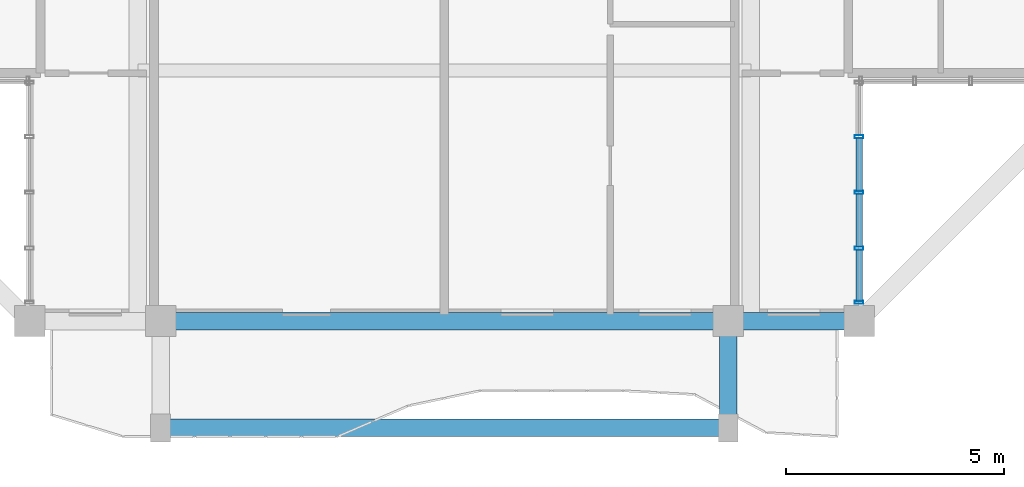
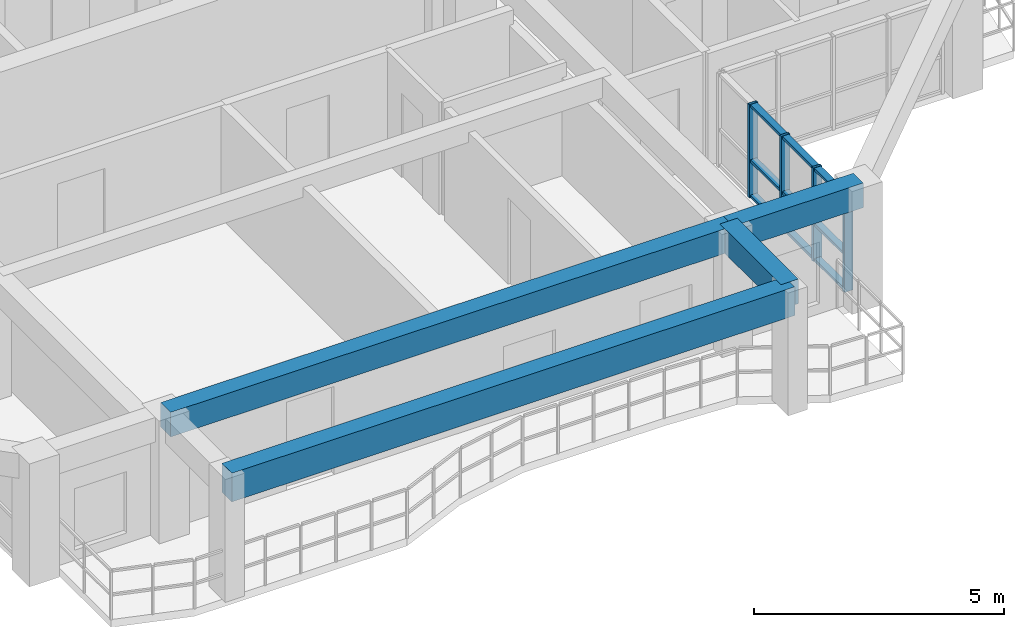
# One storey, part 3 of 24: 13 members, 4 beams, 1 element without a shape of its own.
"""IFC4 building model written with IfcOpenShell, lengths in metres."""

from ifc_helpers import new_model, si_unit, direction, frame, origin, origin_2d, place, context, subcontext, project, spatial, rectangle, hollow_rectangle, extrude, source, transform, mapped, material, layer, layer_set, material_profile, profile_set, type_object, element, aggregate, save


model = new_model("IFC4")

# Units and contexts
model_context = context("Model", 3, precision=1e-05, world=origin(), true_north=direction((0.0, 1.0)))
body_context = subcontext(model_context, "Body", "Model", "MODEL_VIEW")
ifc_project = project(units=[si_unit("LENGTHUNIT", "METRE"), si_unit("AREAUNIT", "SQUARE_METRE"), si_unit("VOLUMEUNIT", "CUBIC_METRE"), si_unit("PLANEANGLEUNIT", "RADIAN"), si_unit("MASSUNIT", "GRAM", prefix="KILO")], contexts=[model_context])

# Site, building, storey
site_placement = place(None, origin())
site = spatial("IfcSite", under=ifc_project, at=site_placement, CompositionType="ELEMENT")
building_placement = place(site_placement, origin())
building = spatial("IfcBuilding", under=site, at=building_placement, Name="Saelheon Loggia Tower", CompositionType="ELEMENT")
storey_placement = place(building_placement, frame((0.0, 0.0, 246.0)))
storey = spatial("IfcBuildingStorey", under=building, at=storey_placement, Name="L76", CompositionType="ELEMENT", Elevation=246.0)

# Beams
ifc_material_1 = material(Name="Precast Concrete C45/55", Category="concrete")
ifc_material_profile_1 = material_profile(ifc_material_1, rectangle(XDim=0.39990234375, YDim=0.60009765625, at=origin_2d()), Name="RC-400x600")
ifc_profile_set_1 = profile_set([ifc_material_profile_1], Name="Precast Concrete C45/55")
beam_type_1 = type_object("IfcBeamType", Name="Beam_LoggiaTie_RC400x600", PredefinedType="BEAM", material=ifc_profile_set_1)
shared_shape_1 = source(origin(), body_context, "Body", "SweptSolid", [
    extrude(rectangle(XDim=0.39990234375, YDim=0.60009765625, at=origin_2d()), origin(), (0.0, 0.0, 1.0), 2.449951171875),
])
beam_1_placement = place(storey_placement, frame((44.5, 6.0, 2.699951171875), z_axis=(0.0, -1.0, 0.0), x_axis=(1.0, 0.0, 0.0)))
element("IfcBeam", 1, at=beam_1_placement, inside=storey, type_object=beam_type_1, Name="L76 Loggia Frame Tie Beam LP-S2", PredefinedType="BEAM", context=body_context, shape_type="MappedRepresentation", body=[
    mapped(shared_shape_1, transform((0.0, 0.0, 0.0), scale=1.0)),
])
ifc_material_profile_2 = material_profile(ifc_material_1, rectangle(XDim=0.39990234375, YDim=0.699951171875, at=origin_2d()), Name="RC-400x700")
ifc_profile_set_2 = profile_set([ifc_material_profile_2], Name="Precast Concrete C45/55")
beam_type_2 = type_object("IfcBeamType", Name="Beam_LoggiaSpandrel_RC400x700", PredefinedType="SPANDREL", material=ifc_profile_set_2)
shared_shape_2 = source(origin(), body_context, "Body", "SweptSolid", [
    extrude(rectangle(XDim=0.39990234375, YDim=0.699951171875, at=origin_2d()), origin(), (0.0, 0.0, 1.0), 13.0),
])
beam_2_placement = place(storey_placement, frame((31.5, 3.550048828125, 2.64990234375), z_axis=(1.0, 0.0, 0.0), x_axis=(0.0, 1.0, 0.0)))
element("IfcBeam", 2, at=beam_2_placement, inside=storey, type_object=beam_type_2, Name="L76 Loggia Spandrel Beam S", PredefinedType="SPANDREL", context=body_context, shape_type="MappedRepresentation", body=[
    mapped(shared_shape_2, transform((0.0, 0.0, 0.0), scale=1.0)),
])
ifc_material_2 = material(Name="Concrete C40/50", Category="concrete")
ifc_material_profile_3 = material_profile(ifc_material_2, rectangle(XDim=0.39990234375, YDim=0.60009765625, at=origin_2d()), Name="RC-400x600")
ifc_profile_set_3 = profile_set([ifc_material_profile_3], Name="Concrete C40/50")
beam_type_3 = type_object("IfcBeamType", Name="Beam_PerimUpper_RC400x600", PredefinedType="BEAM", material=ifc_profile_set_3)
shared_shape_3 = source(origin(), body_context, "Body", "SweptSolid", [
    extrude(rectangle(XDim=0.39990234375, YDim=0.60009765625, at=origin_2d()), origin(), (0.0, 0.0, 1.0), 13.0),
])
beam_3_placement = place(storey_placement, frame((31.5, 6.0, 2.699951171875), z_axis=(1.0, 0.0, 0.0), x_axis=(0.0, 1.0, 0.0)))
element("IfcBeam", 3, at=beam_3_placement, inside=storey, type_object=beam_type_3, Name="L76 Perimeter Frame Girder 02", PredefinedType="BEAM", context=body_context, shape_type="MappedRepresentation", body=[
    mapped(shared_shape_3, transform((0.0, 0.0, 0.0), scale=1.0)),
])
shared_shape_4 = source(origin(), body_context, "Body", "SweptSolid", [
    extrude(rectangle(XDim=0.39990234375, YDim=0.60009765625, at=origin_2d()), origin(), (0.0, 0.0, 1.0), 3.0),
])
beam_4_placement = place(storey_placement, frame((44.5, 6.0, 2.699951171875), z_axis=(1.0, 0.0, 0.0), x_axis=(0.0, 1.0, 0.0)))
element("IfcBeam", 4, at=beam_4_placement, inside=storey, type_object=beam_type_3, Name="L76 Perimeter Frame Girder 03", PredefinedType="BEAM", context=body_context, shape_type="MappedRepresentation", body=[
    mapped(shared_shape_4, transform((0.0, 0.0, 0.0), scale=1.0)),
])

# Curtain wall, members
ifc_material_3 = material(Name="High-Wind Aluminium and Triple Laminated Glass", Category="aluminium")
ifc_layer = layer(ifc_material_3, 0.179931640625)
ifc_layer_set = layer_set([ifc_layer], Name="High-Wind Aluminium and Triple Laminated Glass")
curtain_wall_type = type_object("IfcCurtainWallType", Name="CW_TowerLoggiaHigh", PredefinedType="NOTDEFINED", material=ifc_layer_set)
curtain_wall_placement = place(storey_placement, origin())
curtain_wall = element("IfcCurtainWall", 5, at=curtain_wall_placement, inside=storey, type_object=curtain_wall_type, Name="L76 Corner Notch Glazing SE1", PredefinedType="NOTDEFINED")
ifc_material_4 = material(Name="Anodised Aluminium 6063-T6", Category="aluminium")
ifc_material_profile_4 = material_profile(ifc_material_4, hollow_rectangle(XDim=0.070068359375, YDim=0.199951171875, WallThickness=0.0048828125, at=origin_2d()), Name="RHS-200x70x5")
ifc_profile_set_4 = profile_set([ifc_material_profile_4], Name="Anodised Aluminium 6063-T6")
member_type_1 = type_object("IfcMemberType", Name="CW_TowerLoggiaHigh_Mullion", PredefinedType="MULLION", material=ifc_profile_set_4)
shared_shape_5 = source(origin(), body_context, "Body", "SweptSolid", [
    extrude(hollow_rectangle(XDim=0.070068359375, YDim=0.199951171875, WallThickness=0.0048828125, at=origin_2d()), origin(), (0.0, 0.0, 1.0), 2.280029296875),
])
member_1_placement = place(storey_placement, frame((47.5, 6.425048828125, 0.0), z_axis=(0.0, 0.0, 1.0), x_axis=(0.0, 1.0, 0.0)))
member_1 = element("IfcMember", 6, at=member_1_placement, type_object=member_type_1, Name="CW4 mullion 1", PredefinedType="MULLION", context=body_context, shape_type="MappedRepresentation", body=[
    mapped(shared_shape_5, transform((0.0, 0.0, 0.0), scale=1.0)),
])
member_2_placement = place(storey_placement, frame((47.5, 7.66748046875, 0.0), z_axis=(0.0, 0.0, 1.0), x_axis=(0.0, 1.0, 0.0)))
member_2 = element("IfcMember", 7, at=member_2_placement, type_object=member_type_1, Name="CW4 mullion 2", PredefinedType="MULLION", context=body_context, shape_type="MappedRepresentation", body=[
    mapped(shared_shape_5, transform((0.0, 0.0, 0.0), scale=1.0)),
])
member_3_placement = place(storey_placement, frame((47.5, 8.945068359375, 0.0), z_axis=(0.0, 0.0, 1.0), x_axis=(0.0, 1.0, 0.0)))
member_3 = element("IfcMember", 8, at=member_3_placement, type_object=member_type_1, Name="CW4 mullion 3", PredefinedType="MULLION", context=body_context, shape_type="MappedRepresentation", body=[
    mapped(shared_shape_5, transform((0.0, 0.0, 0.0), scale=1.0)),
])
member_4_placement = place(storey_placement, frame((47.5, 10.222412109375, 0.0), z_axis=(0.0, 0.0, 1.0), x_axis=(0.0, 1.0, 0.0)))
member_4 = element("IfcMember", 9, at=member_4_placement, type_object=member_type_1, Name="CW4 mullion 4", PredefinedType="MULLION", context=body_context, shape_type="MappedRepresentation", body=[
    mapped(shared_shape_5, transform((0.0, 0.0, 0.0), scale=1.0)),
])
ifc_material_profile_5 = material_profile(ifc_material_4, hollow_rectangle(XDim=0.070068359375, YDim=0.14990234375, WallThickness=0.0048828125, at=origin_2d()), Name="RHS-150x70x5")
ifc_profile_set_5 = profile_set([ifc_material_profile_5], Name="Anodised Aluminium 6063-T6")
member_type_2 = type_object("IfcMemberType", Name="CW_TowerLoggiaHigh_Transom", PredefinedType="USERDEFINED", material=ifc_profile_set_5)
shared_shape_6 = source(origin(), body_context, "Body", "SweptSolid", [
    extrude(hollow_rectangle(XDim=0.070068359375, YDim=0.14990234375, WallThickness=0.0048828125, at=origin_2d()), origin(), (0.0, 0.0, 1.0), 1.172607421875),
])
member_5_placement = place(storey_placement, frame((47.5, 6.4599609375, 0.034912109375), z_axis=(0.0, 1.0, 0.0), x_axis=(0.0, 0.0, 1.0)))
member_5 = element("IfcMember", 10, at=member_5_placement, type_object=member_type_2, Name="CW4 transom 1.1", ObjectType="TRANSOM", PredefinedType="USERDEFINED", context=body_context, shape_type="MappedRepresentation", body=[
    mapped(shared_shape_6, transform((0.0, 0.0, 0.0), scale=1.0)),
])
member_6_placement = place(storey_placement, frame((47.5, 6.4599609375, 0.89990234375), z_axis=(0.0, 1.0, 0.0), x_axis=(0.0, 0.0, 1.0)))
member_6 = element("IfcMember", 11, at=member_6_placement, type_object=member_type_2, Name="CW4 transom 1.2", ObjectType="TRANSOM", PredefinedType="USERDEFINED", context=body_context, shape_type="MappedRepresentation", body=[
    mapped(shared_shape_6, transform((0.0, 0.0, 0.0), scale=1.0)),
])
member_7_placement = place(storey_placement, frame((47.5, 6.4599609375, 2.2451171875), z_axis=(0.0, 1.0, 0.0), x_axis=(0.0, 0.0, 1.0)))
member_7 = element("IfcMember", 12, at=member_7_placement, type_object=member_type_2, Name="CW4 transom 1.3", ObjectType="TRANSOM", PredefinedType="USERDEFINED", context=body_context, shape_type="MappedRepresentation", body=[
    mapped(shared_shape_6, transform((0.0, 0.0, 0.0), scale=1.0)),
])
shared_shape_7 = source(origin(), body_context, "Body", "SweptSolid", [
    extrude(hollow_rectangle(XDim=0.070068359375, YDim=0.14990234375, WallThickness=0.0048828125, at=origin_2d()), origin(), (0.0, 0.0, 1.0), 1.20751953125),
])
member_8_placement = place(storey_placement, frame((47.5, 7.702392578125, 0.034912109375), z_axis=(0.0, 1.0, 0.0), x_axis=(0.0, 0.0, 1.0)))
member_8 = element("IfcMember", 13, at=member_8_placement, type_object=member_type_2, Name="CW4 transom 2.1", ObjectType="TRANSOM", PredefinedType="USERDEFINED", context=body_context, shape_type="MappedRepresentation", body=[
    mapped(shared_shape_7, transform((0.0, 0.0, 0.0), scale=1.0)),
])
member_9_placement = place(storey_placement, frame((47.5, 7.702392578125, 0.89990234375), z_axis=(0.0, 1.0, 0.0), x_axis=(0.0, 0.0, 1.0)))
member_9 = element("IfcMember", 14, at=member_9_placement, type_object=member_type_2, Name="CW4 transom 2.2", ObjectType="TRANSOM", PredefinedType="USERDEFINED", context=body_context, shape_type="MappedRepresentation", body=[
    mapped(shared_shape_7, transform((0.0, 0.0, 0.0), scale=1.0)),
])
member_10_placement = place(storey_placement, frame((47.5, 7.702392578125, 2.2451171875), z_axis=(0.0, 1.0, 0.0), x_axis=(0.0, 0.0, 1.0)))
member_10 = element("IfcMember", 15, at=member_10_placement, type_object=member_type_2, Name="CW4 transom 2.3", ObjectType="TRANSOM", PredefinedType="USERDEFINED", context=body_context, shape_type="MappedRepresentation", body=[
    mapped(shared_shape_7, transform((0.0, 0.0, 0.0), scale=1.0)),
])
member_11_placement = place(storey_placement, frame((47.5, 8.97998046875, 0.034912109375), z_axis=(0.0, 1.0, 0.0), x_axis=(0.0, 0.0, 1.0)))
member_11 = element("IfcMember", 16, at=member_11_placement, type_object=member_type_2, Name="CW4 transom 3.1", ObjectType="TRANSOM", PredefinedType="USERDEFINED", context=body_context, shape_type="MappedRepresentation", body=[
    mapped(shared_shape_7, transform((0.0, 0.0, 0.0), scale=1.0)),
])
member_12_placement = place(storey_placement, frame((47.5, 8.97998046875, 0.89990234375), z_axis=(0.0, 1.0, 0.0), x_axis=(0.0, 0.0, 1.0)))
member_12 = element("IfcMember", 17, at=member_12_placement, type_object=member_type_2, Name="CW4 transom 3.2", ObjectType="TRANSOM", PredefinedType="USERDEFINED", context=body_context, shape_type="MappedRepresentation", body=[
    mapped(shared_shape_7, transform((0.0, 0.0, 0.0), scale=1.0)),
])
member_13_placement = place(storey_placement, frame((47.5, 8.97998046875, 2.2451171875), z_axis=(0.0, 1.0, 0.0), x_axis=(0.0, 0.0, 1.0)))
member_13 = element("IfcMember", 18, at=member_13_placement, type_object=member_type_2, Name="CW4 transom 3.3", ObjectType="TRANSOM", PredefinedType="USERDEFINED", context=body_context, shape_type="MappedRepresentation", body=[
    mapped(shared_shape_7, transform((0.0, 0.0, 0.0), scale=1.0)),
])
aggregate(curtain_wall, [member_1, member_2, member_3, member_4, member_5, member_6, member_7, member_8, member_9, member_10, member_11, member_12, member_13])

save(model, "model.ifc")
